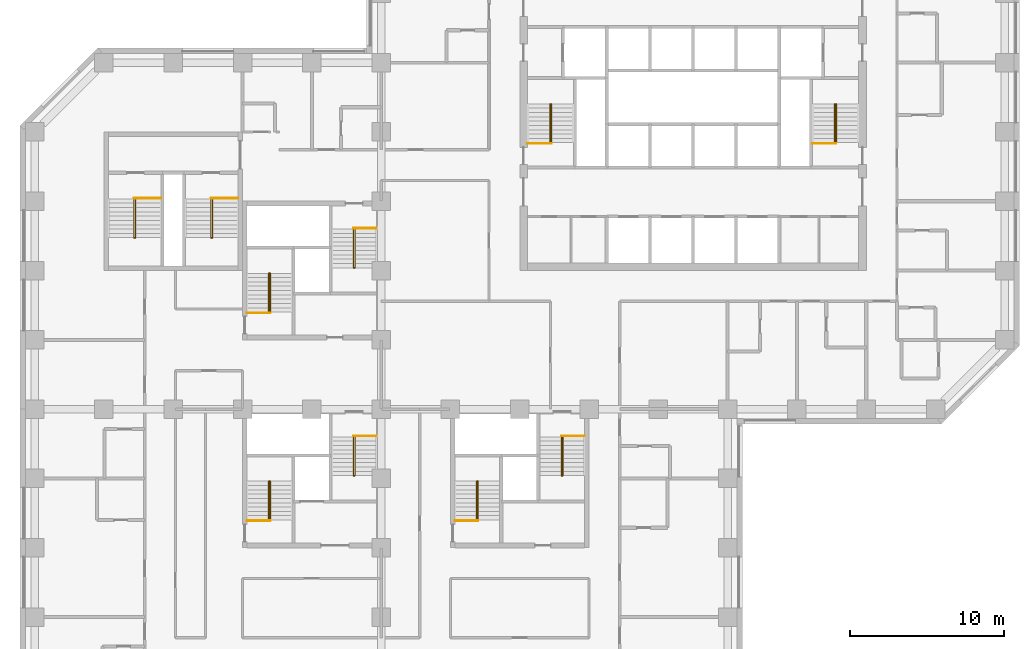
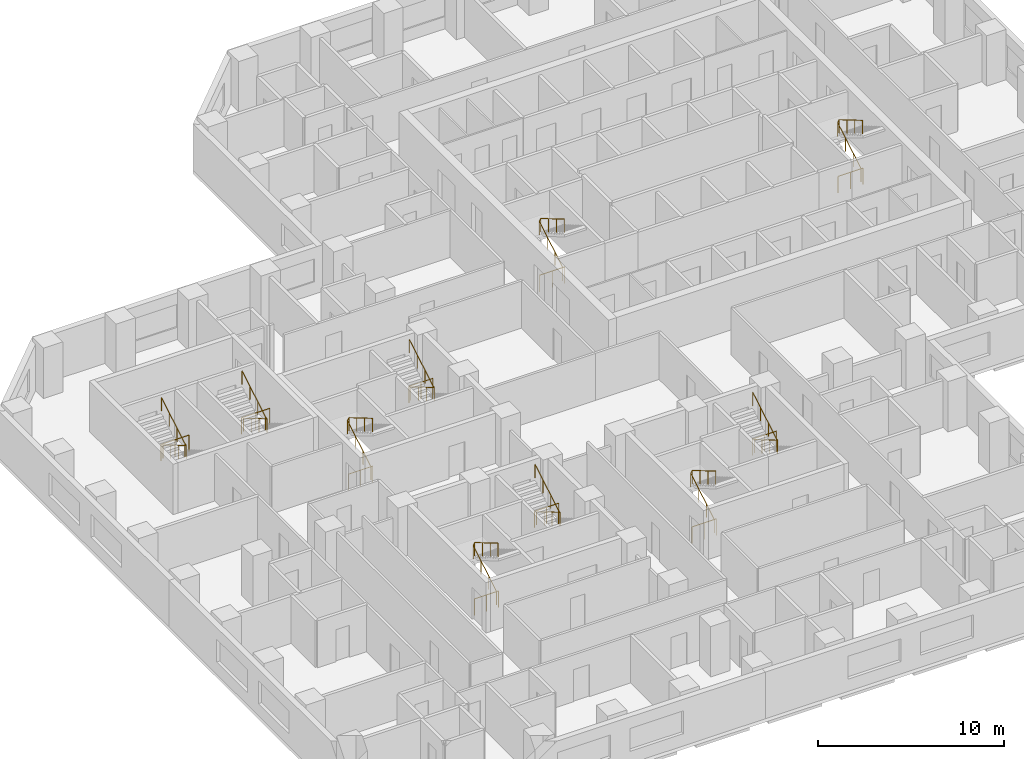
# One storey, part 12 of 12: 20 railings.
"""IFC4 building model written with IfcOpenShell, lengths in metres."""

from ifc_helpers import new_model, si_unit, direction, frame, origin, origin_2d, place, context, subcontext, project, spatial, circle, extrude, material, type_object, element, save


model = new_model("IFC4")

# Units and contexts
model_context = context("Model", 3, precision=1e-05, world=origin(), true_north=direction((0.0, 1.0)))
body_context = subcontext(model_context, "Body", "Model", "MODEL_VIEW")
ifc_project = project(units=[si_unit("LENGTHUNIT", "METRE"), si_unit("AREAUNIT", "SQUARE_METRE"), si_unit("VOLUMEUNIT", "CUBIC_METRE"), si_unit("PLANEANGLEUNIT", "RADIAN"), si_unit("MASSUNIT", "GRAM", prefix="KILO")], contexts=[model_context])

# Site, building, storey
site_placement = place(None, origin())
site = spatial("IfcSite", under=ifc_project, at=site_placement, CompositionType="ELEMENT")
building_placement = place(site_placement, origin())
building = spatial("IfcBuilding", under=site, at=building_placement, Name="Quoin Convention Tower", CompositionType="ELEMENT")
storey_placement = place(building_placement, frame((0.0, 0.0, 42.89990234375)))
storey = spatial("IfcBuildingStorey", under=building, at=storey_placement, Name="L10", CompositionType="ELEMENT", Elevation=42.89990234375)

# Railings
ifc_material = material(Name="Stainless steel", Category="steel")
railing_type_1 = type_object("IfcRailingType", Name="Stair handrail 900", PredefinedType="HANDRAIL", material=ifc_material)
for number, where, name in (
    (1, (46.955078125, 57.800048828125, 0.1650390625), "SD1 handrail 1"),
    (2, (65.455078125, 57.800048828125, 0.1650390625), "SD2 handrail 1"),
    (3, (28.705078125, 46.800048828125, 0.1650390625), "SD3 handrail 1"),
):
    element("IfcRailing", number, at=place(storey_placement, frame(where)), inside=storey, type_object=railing_type_1, Name=name, PredefinedType="HANDRAIL", context=body_context, shape_type="SweptSolid", body=[
        extrude(circle(Radius=0.02392578125, at=origin_2d()), frame((0.0, 0.0, 0.8759765625), z_axis=(0.0, 0.86152411907, 0.507716645641), x_axis=(-1.0, 0.0, 0.0)), (0.0, 0.0, 1.0), 2.925048828125),
        extrude(circle(Radius=0.02392578125, at=origin_2d()), frame((0.0, 2.52001953125, 2.36083984375), z_axis=(0.478123724308, 0.0, 0.878292493566), x_axis=(0.0, 1.0, 0.0)), (0.0, 0.0, 1.0), 0.18798828125),
        extrude(circle(Radius=0.02392578125, at=origin_2d()), frame((0.08984375, 2.52001953125, 2.52587890625), z_axis=(0.0, -0.861560626758, 0.507654692109), x_axis=(1.0, 0.0, 0.0)), (0.0, 0.0, 1.0), 2.925048828125),
        extrude(circle(Radius=0.02099609375, at=origin_2d()), origin(), (0.0, 0.0, 1.0), 0.851806640625),
        extrude(circle(Radius=0.02099609375, at=origin_2d()), frame((0.0, 0.840087890625, 0.4951171875)), (0.0, 0.0, 1.0), 0.851806640625),
        extrude(circle(Radius=0.02099609375, at=origin_2d()), frame((0.0, 1.679931640625, 0.989990234375)), (0.0, 0.0, 1.0), 0.851806640625),
        extrude(circle(Radius=0.02099609375, at=origin_2d()), frame((0.0, 2.52001953125, 1.485107421875)), (0.0, 0.0, 1.0), 0.851806640625),
        extrude(circle(Radius=0.02099609375, at=origin_2d()), frame((0.08984375, 2.52001953125, 1.650146484375)), (0.0, 0.0, 1.0), 0.851806640625),
        extrude(circle(Radius=0.02099609375, at=origin_2d()), frame((0.08984375, 1.679931640625, 2.14501953125)), (0.0, 0.0, 1.0), 0.851806640625),
        extrude(circle(Radius=0.02099609375, at=origin_2d()), frame((0.08984375, 0.840087890625, 2.64013671875)), (0.0, 0.0, 1.0), 0.851806640625),
        extrude(circle(Radius=0.02099609375, at=origin_2d()), frame((0.08984375, 0.0, 3.135009765625)), (0.0, 0.0, 1.0), 0.851806640625),
    ])
railing_1_placement = place(storey_placement, frame((34.294921875, 52.199951171875, 0.1650390625)))
element("IfcRailing", 4, at=railing_1_placement, inside=storey, type_object=railing_type_1, Name="SD4 handrail 1", PredefinedType="HANDRAIL", context=body_context, shape_type="SweptSolid", body=[
    extrude(circle(Radius=0.02392578125, at=origin_2d()), frame((0.0, 0.0, 0.8759765625), z_axis=(0.0, -0.86152411907, 0.507716645641), x_axis=(1.0, 0.0, 0.0)), (0.0, 0.0, 1.0), 2.925048828125),
    extrude(circle(Radius=0.02392578125, at=origin_2d()), frame((0.0, -2.52001953125, 2.36083984375), z_axis=(-0.478123724308, 0.0, 0.878292493566), x_axis=(0.0, -1.0, 0.0)), (0.0, 0.0, 1.0), 0.18798828125),
    extrude(circle(Radius=0.02392578125, at=origin_2d()), frame((-0.08984375, -2.52001953125, 2.52587890625), z_axis=(0.0, 0.861560626758, 0.507654692109), x_axis=(-1.0, 0.0, 0.0)), (0.0, 0.0, 1.0), 2.925048828125),
    extrude(circle(Radius=0.02099609375, at=origin_2d()), origin(), (0.0, 0.0, 1.0), 0.851806640625),
    extrude(circle(Radius=0.02099609375, at=origin_2d()), frame((0.0, -0.840087890625, 0.4951171875)), (0.0, 0.0, 1.0), 0.851806640625),
    extrude(circle(Radius=0.02099609375, at=origin_2d()), frame((0.0, -1.679931640625, 0.989990234375)), (0.0, 0.0, 1.0), 0.851806640625),
    extrude(circle(Radius=0.02099609375, at=origin_2d()), frame((0.0, -2.52001953125, 1.485107421875)), (0.0, 0.0, 1.0), 0.851806640625),
    extrude(circle(Radius=0.02099609375, at=origin_2d()), frame((-0.08984375, -2.52001953125, 1.650146484375)), (0.0, 0.0, 1.0), 0.851806640625),
    extrude(circle(Radius=0.02099609375, at=origin_2d()), frame((-0.08984375, -1.679931640625, 2.14501953125)), (0.0, 0.0, 1.0), 0.851806640625),
    extrude(circle(Radius=0.02099609375, at=origin_2d()), frame((-0.08984375, -0.840087890625, 2.64013671875)), (0.0, 0.0, 1.0), 0.851806640625),
    extrude(circle(Radius=0.02099609375, at=origin_2d()), frame((-0.08984375, 0.0, 3.135009765625)), (0.0, 0.0, 1.0), 0.851806640625),
])
railing_2_placement = place(storey_placement, frame((42.205078125, 33.300048828125, 0.1650390625)))
element("IfcRailing", 5, at=railing_2_placement, inside=storey, type_object=railing_type_1, Name="SD5 handrail 1", PredefinedType="HANDRAIL", context=body_context, shape_type="SweptSolid", body=[
    extrude(circle(Radius=0.02392578125, at=origin_2d()), frame((0.0, 0.0, 0.8759765625), z_axis=(0.0, 0.86152411907, 0.507716645641), x_axis=(-1.0, 0.0, 0.0)), (0.0, 0.0, 1.0), 2.925048828125),
    extrude(circle(Radius=0.02392578125, at=origin_2d()), frame((0.0, 2.52001953125, 2.36083984375), z_axis=(0.478123724308, 0.0, 0.878292493566), x_axis=(0.0, 1.0, 0.0)), (0.0, 0.0, 1.0), 0.18798828125),
    extrude(circle(Radius=0.02392578125, at=origin_2d()), frame((0.08984375, 2.52001953125, 2.52587890625), z_axis=(0.0, -0.861560626758, 0.507654692109), x_axis=(1.0, 0.0, 0.0)), (0.0, 0.0, 1.0), 2.925048828125),
    extrude(circle(Radius=0.02099609375, at=origin_2d()), origin(), (0.0, 0.0, 1.0), 0.851806640625),
    extrude(circle(Radius=0.02099609375, at=origin_2d()), frame((0.0, 0.840087890625, 0.4951171875)), (0.0, 0.0, 1.0), 0.851806640625),
    extrude(circle(Radius=0.02099609375, at=origin_2d()), frame((0.0, 1.679931640625, 0.989990234375)), (0.0, 0.0, 1.0), 0.851806640625),
    extrude(circle(Radius=0.02099609375, at=origin_2d()), frame((0.0, 2.52001953125, 1.485107421875)), (0.0, 0.0, 1.0), 0.851806640625),
    extrude(circle(Radius=0.02099609375, at=origin_2d()), frame((0.08984375, 2.52001953125, 1.650146484375)), (0.0, 0.0, 1.0), 0.851806640625),
    extrude(circle(Radius=0.02099609375, at=origin_2d()), frame((0.08984375, 1.679931640625, 2.14501953125)), (0.0, 0.0, 1.0), 0.851806640625),
    extrude(circle(Radius=0.02099609375, at=origin_2d()), frame((0.08984375, 0.840087890625, 2.64013671875)), (0.0, 0.0, 1.0), 0.851806640625),
    extrude(circle(Radius=0.02099609375, at=origin_2d()), frame((0.08984375, 0.0, 3.135009765625)), (0.0, 0.0, 1.0), 0.851806640625),
])
railing_3_placement = place(storey_placement, frame((47.794921875, 38.699951171875, 0.1650390625)))
element("IfcRailing", 6, at=railing_3_placement, inside=storey, type_object=railing_type_1, Name="SD6 handrail 1", PredefinedType="HANDRAIL", context=body_context, shape_type="SweptSolid", body=[
    extrude(circle(Radius=0.02392578125, at=origin_2d()), frame((0.0, 0.0, 0.8759765625), z_axis=(0.0, -0.86152411907, 0.507716645641), x_axis=(1.0, 0.0, 0.0)), (0.0, 0.0, 1.0), 2.925048828125),
    extrude(circle(Radius=0.02392578125, at=origin_2d()), frame((0.0, -2.52001953125, 2.36083984375), z_axis=(-0.478123724308, 0.0, 0.878292493566), x_axis=(0.0, -1.0, 0.0)), (0.0, 0.0, 1.0), 0.18798828125),
    extrude(circle(Radius=0.02392578125, at=origin_2d()), frame((-0.08984375, -2.52001953125, 2.52587890625), z_axis=(0.0, 0.861560626758, 0.507654692109), x_axis=(-1.0, 0.0, 0.0)), (0.0, 0.0, 1.0), 2.925048828125),
    extrude(circle(Radius=0.02099609375, at=origin_2d()), origin(), (0.0, 0.0, 1.0), 0.851806640625),
    extrude(circle(Radius=0.02099609375, at=origin_2d()), frame((0.0, -0.840087890625, 0.4951171875)), (0.0, 0.0, 1.0), 0.851806640625),
    extrude(circle(Radius=0.02099609375, at=origin_2d()), frame((0.0, -1.679931640625, 0.989990234375)), (0.0, 0.0, 1.0), 0.851806640625),
    extrude(circle(Radius=0.02099609375, at=origin_2d()), frame((0.0, -2.52001953125, 1.485107421875)), (0.0, 0.0, 1.0), 0.851806640625),
    extrude(circle(Radius=0.02099609375, at=origin_2d()), frame((-0.08984375, -2.52001953125, 1.650146484375)), (0.0, 0.0, 1.0), 0.851806640625),
    extrude(circle(Radius=0.02099609375, at=origin_2d()), frame((-0.08984375, -1.679931640625, 2.14501953125)), (0.0, 0.0, 1.0), 0.851806640625),
    extrude(circle(Radius=0.02099609375, at=origin_2d()), frame((-0.08984375, -0.840087890625, 2.64013671875)), (0.0, 0.0, 1.0), 0.851806640625),
    extrude(circle(Radius=0.02099609375, at=origin_2d()), frame((-0.08984375, 0.0, 3.135009765625)), (0.0, 0.0, 1.0), 0.851806640625),
])
railing_4_placement = place(storey_placement, frame((28.705078125, 33.300048828125, 0.1650390625)))
element("IfcRailing", 7, at=railing_4_placement, inside=storey, type_object=railing_type_1, Name="SD7 handrail 1", PredefinedType="HANDRAIL", context=body_context, shape_type="SweptSolid", body=[
    extrude(circle(Radius=0.02392578125, at=origin_2d()), frame((0.0, 0.0, 0.8759765625), z_axis=(0.0, 0.86152411907, 0.507716645641), x_axis=(-1.0, 0.0, 0.0)), (0.0, 0.0, 1.0), 2.925048828125),
    extrude(circle(Radius=0.02392578125, at=origin_2d()), frame((0.0, 2.52001953125, 2.36083984375), z_axis=(0.478123724308, 0.0, 0.878292493566), x_axis=(0.0, 1.0, 0.0)), (0.0, 0.0, 1.0), 0.18798828125),
    extrude(circle(Radius=0.02392578125, at=origin_2d()), frame((0.08984375, 2.52001953125, 2.52587890625), z_axis=(0.0, -0.861560626758, 0.507654692109), x_axis=(1.0, 0.0, 0.0)), (0.0, 0.0, 1.0), 2.925048828125),
    extrude(circle(Radius=0.02099609375, at=origin_2d()), origin(), (0.0, 0.0, 1.0), 0.851806640625),
    extrude(circle(Radius=0.02099609375, at=origin_2d()), frame((0.0, 0.840087890625, 0.4951171875)), (0.0, 0.0, 1.0), 0.851806640625),
    extrude(circle(Radius=0.02099609375, at=origin_2d()), frame((0.0, 1.679931640625, 0.989990234375)), (0.0, 0.0, 1.0), 0.851806640625),
    extrude(circle(Radius=0.02099609375, at=origin_2d()), frame((0.0, 2.52001953125, 1.485107421875)), (0.0, 0.0, 1.0), 0.851806640625),
    extrude(circle(Radius=0.02099609375, at=origin_2d()), frame((0.08984375, 2.52001953125, 1.650146484375)), (0.0, 0.0, 1.0), 0.851806640625),
    extrude(circle(Radius=0.02099609375, at=origin_2d()), frame((0.08984375, 1.679931640625, 2.14501953125)), (0.0, 0.0, 1.0), 0.851806640625),
    extrude(circle(Radius=0.02099609375, at=origin_2d()), frame((0.08984375, 0.840087890625, 2.64013671875)), (0.0, 0.0, 1.0), 0.851806640625),
    extrude(circle(Radius=0.02099609375, at=origin_2d()), frame((0.08984375, 0.0, 3.135009765625)), (0.0, 0.0, 1.0), 0.851806640625),
])
for number, where, name in (
    (8, (34.294921875, 38.699951171875, 0.1650390625), "SD8 handrail 1"),
    (9, (20.044921875, 54.14990234375, 0.1650390625), "SD11 handrail 1"),
    (10, (25.044921875, 54.14990234375, 0.1650390625), "SD12 handrail 1"),
):
    element("IfcRailing", number, at=place(storey_placement, frame(where)), inside=storey, type_object=railing_type_1, Name=name, PredefinedType="HANDRAIL", context=body_context, shape_type="SweptSolid", body=[
        extrude(circle(Radius=0.02392578125, at=origin_2d()), frame((0.0, 0.0, 0.8759765625), z_axis=(0.0, -0.86152411907, 0.507716645641), x_axis=(1.0, 0.0, 0.0)), (0.0, 0.0, 1.0), 2.925048828125),
        extrude(circle(Radius=0.02392578125, at=origin_2d()), frame((0.0, -2.52001953125, 2.36083984375), z_axis=(-0.478123724308, 0.0, 0.878292493566), x_axis=(0.0, -1.0, 0.0)), (0.0, 0.0, 1.0), 0.18798828125),
        extrude(circle(Radius=0.02392578125, at=origin_2d()), frame((-0.08984375, -2.52001953125, 2.52587890625), z_axis=(0.0, 0.861560626758, 0.507654692109), x_axis=(-1.0, 0.0, 0.0)), (0.0, 0.0, 1.0), 2.925048828125),
        extrude(circle(Radius=0.02099609375, at=origin_2d()), origin(), (0.0, 0.0, 1.0), 0.851806640625),
        extrude(circle(Radius=0.02099609375, at=origin_2d()), frame((0.0, -0.840087890625, 0.4951171875)), (0.0, 0.0, 1.0), 0.851806640625),
        extrude(circle(Radius=0.02099609375, at=origin_2d()), frame((0.0, -1.679931640625, 0.989990234375)), (0.0, 0.0, 1.0), 0.851806640625),
        extrude(circle(Radius=0.02099609375, at=origin_2d()), frame((0.0, -2.52001953125, 1.485107421875)), (0.0, 0.0, 1.0), 0.851806640625),
        extrude(circle(Radius=0.02099609375, at=origin_2d()), frame((-0.08984375, -2.52001953125, 1.650146484375)), (0.0, 0.0, 1.0), 0.851806640625),
        extrude(circle(Radius=0.02099609375, at=origin_2d()), frame((-0.08984375, -1.679931640625, 2.14501953125)), (0.0, 0.0, 1.0), 0.851806640625),
        extrude(circle(Radius=0.02099609375, at=origin_2d()), frame((-0.08984375, -0.840087890625, 2.64013671875)), (0.0, 0.0, 1.0), 0.851806640625),
        extrude(circle(Radius=0.02099609375, at=origin_2d()), frame((-0.08984375, 0.0, 3.135009765625)), (0.0, 0.0, 1.0), 0.851806640625),
    ])
railing_type_2 = type_object("IfcRailingType", Name="Stair top guard 1100", PredefinedType="GUARDRAIL", material=ifc_material)
for number, where, name in (
    (11, (45.5, 57.75, 0.0), "SD1 top guard"),
    (12, (64.0, 57.75, 0.0), "SD2 top guard"),
):
    element("IfcRailing", number, at=place(storey_placement, frame(where)), inside=storey, type_object=railing_type_2, Name=name, PredefinedType="GUARDRAIL", context=body_context, shape_type="SweptSolid", body=[
        extrude(circle(Radius=0.02392578125, at=origin_2d()), frame((0.0, 0.0, 1.076171875), z_axis=(1.0, 0.0, 0.0), x_axis=(0.0, 1.0, 0.0)), (0.0, 0.0, 1.0), 1.544921875),
        extrude(circle(Radius=0.02099609375, at=origin_2d()), origin(), (0.0, 0.0, 1.0), 1.052001953125),
        extrude(circle(Radius=0.02099609375, at=origin_2d()), frame((0.7724609375, 0.0, 0.0)), (0.0, 0.0, 1.0), 1.052001953125),
        extrude(circle(Radius=0.02099609375, at=origin_2d()), frame((1.544921875, 0.0, 0.0)), (0.0, 0.0, 1.0), 1.052001953125),
    ])
railing_5_placement = place(storey_placement, frame((27.300048828125, 46.75, 0.0)))
element("IfcRailing", 13, at=railing_5_placement, inside=storey, type_object=railing_type_2, Name="SD3 top guard", PredefinedType="GUARDRAIL", context=body_context, shape_type="SweptSolid", body=[
    extrude(circle(Radius=0.02392578125, at=origin_2d()), frame((0.0, 0.0, 1.076171875), z_axis=(1.0, 0.0, 0.0), x_axis=(0.0, 1.0, 0.0)), (0.0, 0.0, 1.0), 1.494873046875),
    extrude(circle(Radius=0.02099609375, at=origin_2d()), origin(), (0.0, 0.0, 1.0), 1.052001953125),
    extrude(circle(Radius=0.02099609375, at=origin_2d()), frame((0.74755859375, 0.0, 0.0)), (0.0, 0.0, 1.0), 1.052001953125),
    extrude(circle(Radius=0.02099609375, at=origin_2d()), frame((1.494873046875, 0.0, 0.0)), (0.0, 0.0, 1.0), 1.052001953125),
])
railing_6_placement = place(storey_placement, frame((35.699951171875, 52.25, 0.0)))
element("IfcRailing", 14, at=railing_6_placement, inside=storey, type_object=railing_type_2, Name="SD4 top guard", PredefinedType="GUARDRAIL", context=body_context, shape_type="SweptSolid", body=[
    extrude(circle(Radius=0.02392578125, at=origin_2d()), frame((0.0, 0.0, 1.076171875), z_axis=(-1.0, 0.0, 0.0), x_axis=(0.0, -1.0, 0.0)), (0.0, 0.0, 1.0), 1.494873046875),
    extrude(circle(Radius=0.02099609375, at=origin_2d()), origin(), (0.0, 0.0, 1.0), 1.052001953125),
    extrude(circle(Radius=0.02099609375, at=origin_2d()), frame((-0.74755859375, 0.0, 0.0)), (0.0, 0.0, 1.0), 1.052001953125),
    extrude(circle(Radius=0.02099609375, at=origin_2d()), frame((-1.494873046875, 0.0, 0.0)), (0.0, 0.0, 1.0), 1.052001953125),
])
railing_7_placement = place(storey_placement, frame((40.800048828125, 33.25, 0.0)))
element("IfcRailing", 15, at=railing_7_placement, inside=storey, type_object=railing_type_2, Name="SD5 top guard", PredefinedType="GUARDRAIL", context=body_context, shape_type="SweptSolid", body=[
    extrude(circle(Radius=0.02392578125, at=origin_2d()), frame((0.0, 0.0, 1.076171875), z_axis=(1.0, 0.0, 0.0), x_axis=(0.0, 1.0, 0.0)), (0.0, 0.0, 1.0), 1.494873046875),
    extrude(circle(Radius=0.02099609375, at=origin_2d()), origin(), (0.0, 0.0, 1.0), 1.052001953125),
    extrude(circle(Radius=0.02099609375, at=origin_2d()), frame((0.74755859375, 0.0, 0.0)), (0.0, 0.0, 1.0), 1.052001953125),
    extrude(circle(Radius=0.02099609375, at=origin_2d()), frame((1.494873046875, 0.0, 0.0)), (0.0, 0.0, 1.0), 1.052001953125),
])
railing_8_placement = place(storey_placement, frame((49.199951171875, 38.75, 0.0)))
element("IfcRailing", 16, at=railing_8_placement, inside=storey, type_object=railing_type_2, Name="SD6 top guard", PredefinedType="GUARDRAIL", context=body_context, shape_type="SweptSolid", body=[
    extrude(circle(Radius=0.02392578125, at=origin_2d()), frame((0.0, 0.0, 1.076171875), z_axis=(-1.0, 0.0, 0.0), x_axis=(0.0, -1.0, 0.0)), (0.0, 0.0, 1.0), 1.494873046875),
    extrude(circle(Radius=0.02099609375, at=origin_2d()), origin(), (0.0, 0.0, 1.0), 1.052001953125),
    extrude(circle(Radius=0.02099609375, at=origin_2d()), frame((-0.74755859375, 0.0, 0.0)), (0.0, 0.0, 1.0), 1.052001953125),
    extrude(circle(Radius=0.02099609375, at=origin_2d()), frame((-1.494873046875, 0.0, 0.0)), (0.0, 0.0, 1.0), 1.052001953125),
])
railing_9_placement = place(storey_placement, frame((27.300048828125, 33.25, 0.0)))
element("IfcRailing", 17, at=railing_9_placement, inside=storey, type_object=railing_type_2, Name="SD7 top guard", PredefinedType="GUARDRAIL", context=body_context, shape_type="SweptSolid", body=[
    extrude(circle(Radius=0.02392578125, at=origin_2d()), frame((0.0, 0.0, 1.076171875), z_axis=(1.0, 0.0, 0.0), x_axis=(0.0, 1.0, 0.0)), (0.0, 0.0, 1.0), 1.494873046875),
    extrude(circle(Radius=0.02099609375, at=origin_2d()), origin(), (0.0, 0.0, 1.0), 1.052001953125),
    extrude(circle(Radius=0.02099609375, at=origin_2d()), frame((0.74755859375, 0.0, 0.0)), (0.0, 0.0, 1.0), 1.052001953125),
    extrude(circle(Radius=0.02099609375, at=origin_2d()), frame((1.494873046875, 0.0, 0.0)), (0.0, 0.0, 1.0), 1.052001953125),
])
railing_10_placement = place(storey_placement, frame((35.699951171875, 38.75, 0.0)))
element("IfcRailing", 18, at=railing_10_placement, inside=storey, type_object=railing_type_2, Name="SD8 top guard", PredefinedType="GUARDRAIL", context=body_context, shape_type="SweptSolid", body=[
    extrude(circle(Radius=0.02392578125, at=origin_2d()), frame((0.0, 0.0, 1.076171875), z_axis=(-1.0, 0.0, 0.0), x_axis=(0.0, -1.0, 0.0)), (0.0, 0.0, 1.0), 1.494873046875),
    extrude(circle(Radius=0.02099609375, at=origin_2d()), origin(), (0.0, 0.0, 1.0), 1.052001953125),
    extrude(circle(Radius=0.02099609375, at=origin_2d()), frame((-0.74755859375, 0.0, 0.0)), (0.0, 0.0, 1.0), 1.052001953125),
    extrude(circle(Radius=0.02099609375, at=origin_2d()), frame((-1.494873046875, 0.0, 0.0)), (0.0, 0.0, 1.0), 1.052001953125),
])
for number, where, name in (
    (19, (21.699951171875, 54.199951171875, 0.0), "SD11 top guard"),
    (20, (26.699951171875, 54.199951171875, 0.0), "SD12 top guard"),
):
    element("IfcRailing", number, at=place(storey_placement, frame(where)), inside=storey, type_object=railing_type_2, Name=name, PredefinedType="GUARDRAIL", context=body_context, shape_type="SweptSolid", body=[
        extrude(circle(Radius=0.02392578125, at=origin_2d()), frame((0.0, 0.0, 1.076171875), z_axis=(-1.0, 0.0, 0.0), x_axis=(0.0, -1.0, 0.0)), (0.0, 0.0, 1.0), 1.744873046875),
        extrude(circle(Radius=0.02099609375, at=origin_2d()), origin(), (0.0, 0.0, 1.0), 1.052001953125),
        extrude(circle(Radius=0.02099609375, at=origin_2d()), frame((-0.87255859375, 0.0, 0.0)), (0.0, 0.0, 1.0), 1.052001953125),
        extrude(circle(Radius=0.02099609375, at=origin_2d()), frame((-1.744873046875, 0.0, 0.0)), (0.0, 0.0, 1.0), 1.052001953125),
    ])

save(model, "model.ifc")
